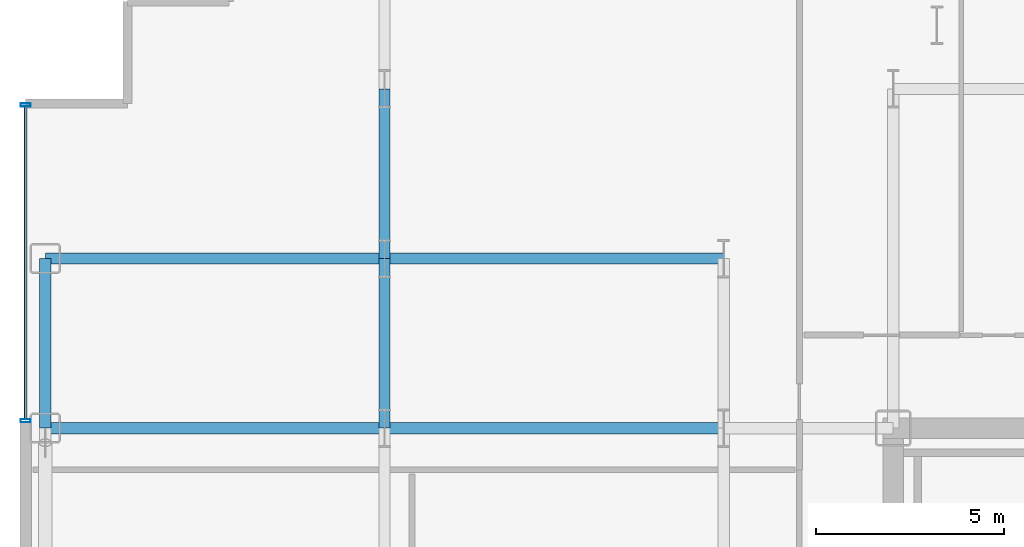
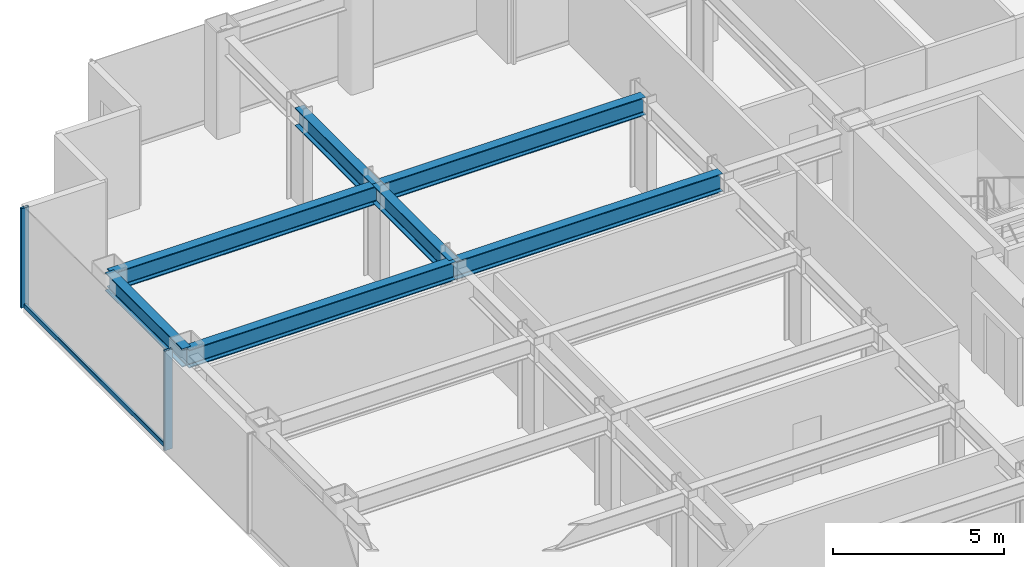
# One storey, part 11 of 29: 7 beams, 3 members, 1 element without a shape of its own.
"""IFC4 building model written with IfcOpenShell, lengths in metres."""

from ifc_helpers import new_model, si_unit, direction, frame, origin, origin_2d, place, context, subcontext, project, spatial, hollow_rectangle, i_section, extrude, source, transform, mapped, material, layer, layer_set, material_profile, profile_set, type_object, element, aggregate, save


model = new_model("IFC4")

# Units and contexts
model_context = context("Model", 3, precision=1e-05, world=origin(), true_north=direction((0.0, 1.0)))
body_context = subcontext(model_context, "Body", "Model", "MODEL_VIEW")
ifc_project = project(units=[si_unit("LENGTHUNIT", "METRE"), si_unit("AREAUNIT", "SQUARE_METRE"), si_unit("VOLUMEUNIT", "CUBIC_METRE"), si_unit("PLANEANGLEUNIT", "RADIAN"), si_unit("MASSUNIT", "GRAM", prefix="KILO")], contexts=[model_context])

# Site, building, storey
site_placement = place(None, origin())
site = spatial("IfcSite", under=ifc_project, at=site_placement, CompositionType="ELEMENT")
building_placement = place(site_placement, origin())
building = spatial("IfcBuilding", under=site, at=building_placement, Name="Nefas-Gora Pilgrimage Tower", CompositionType="ELEMENT")
storey_placement = place(building_placement, frame((0.0, 0.0, 136.39990234375)))
storey = spatial("IfcBuildingStorey", under=building, at=storey_placement, Name="L33", CompositionType="ELEMENT", Elevation=136.39990234375)

# Beams
ifc_material_1 = material(Name="Steel S355", Category="steel")
ifc_material_profile_1 = material_profile(ifc_material_1, i_section(OverallWidth=0.300048828125, OverallDepth=0.64990234375, WebThickness=0.01611328125, FlangeThickness=0.031005859375, FilletRadius=0.027099609375, at=origin_2d()), Name="HEB 650")
ifc_profile_set_1 = profile_set([ifc_material_profile_1], Name="Steel S355")
beam_type_1 = type_object("IfcBeamType", Name="BM-SPN-HEB500", PredefinedType="SPANDREL", material=ifc_profile_set_1)
shared_shape_1 = source(origin(), body_context, "Body", "SweptSolid", [
    extrude(i_section(OverallWidth=0.300048828125, OverallDepth=0.64990234375, WebThickness=0.01611328125, FlangeThickness=0.031005859375, FilletRadius=0.027099609375, at=origin_2d()), origin(), (0.0, 0.0, 1.0), 4.5),
])
beam_placement = place(storey_placement, frame((-33.75, 9.0, 3.22509765625), z_axis=(0.0, 1.0, 0.0), x_axis=(-1.0, 0.0, 0.0)))
element("IfcBeam", 1, at=beam_placement, inside=storey, type_object=beam_type_1, Name="L33 SP-02 beam", PredefinedType="SPANDREL", context=body_context, shape_type="MappedRepresentation", body=[
    mapped(shared_shape_1, transform((0.0, 0.0, 0.0), x_axis=(1.0, 0.0, 0.0), y_axis=(0.0, 1.0, 0.0), z_axis=(0.0, 0.0, 1.0), scale=1.0)),
])
ifc_material_profile_2 = material_profile(ifc_material_1, i_section(OverallWidth=0.300048828125, OverallDepth=0.64990234375, WebThickness=0.01611328125, FlangeThickness=0.031005859375, FilletRadius=0.027099609375, at=origin_2d()), Name="HEB 650")
ifc_profile_set_2 = profile_set([ifc_material_profile_2], Name="Steel S355")
beam_type_2 = type_object("IfcBeamType", Name="BM-GIR-HEB650", PredefinedType="BEAM", material=ifc_profile_set_2)
shared_shape_2 = source(origin(), body_context, "Body", "SweptSolid", [
    extrude(i_section(OverallWidth=0.300048828125, OverallDepth=0.64990234375, WebThickness=0.01611328125, FlangeThickness=0.031005859375, FilletRadius=0.027099609375, at=origin_2d()), origin(), (0.0, 0.0, 1.0), 9.0),
])
for number, where, z_axis, x_axis, name in (
    (2, (-33.75, 9.0, 3.22509765625), (1.0, 0.0, 0.0), (0.0, 1.0, 0.0), "L33 G-03 beam"),
    (3, (-33.75, 13.5, 3.22509765625), (1.0, 0.0, 0.0), (0.0, 1.0, 0.0), "L33 G-03 beam"),
    (4, (-24.75, 9.0, 3.22509765625), (1.0, 0.0, 0.0), (0.0, 1.0, 0.0), "L33 G-03 beam"),
    (5, (-24.75, 13.5, 3.22509765625), (1.0, 0.0, 0.0), (0.0, 1.0, 0.0), "L33 G-03 beam"),
):
    element("IfcBeam", number, at=place(storey_placement, frame(where, z_axis=z_axis, x_axis=x_axis)), inside=storey, type_object=beam_type_2, Name=name, PredefinedType="BEAM", context=body_context, shape_type="MappedRepresentation", body=[
        mapped(shared_shape_2, transform((0.0, 0.0, 0.0), x_axis=(1.0, 0.0, 0.0), y_axis=(0.0, 1.0, 0.0), z_axis=(0.0, 0.0, 1.0), scale=1.0)),
    ])
shared_shape_3 = source(origin(), body_context, "Body", "SweptSolid", [
    extrude(i_section(OverallWidth=0.300048828125, OverallDepth=0.64990234375, WebThickness=0.01611328125, FlangeThickness=0.031005859375, FilletRadius=0.027099609375, at=origin_2d()), origin(), (0.0, 0.0, 1.0), 4.5),
])
for number, where, z_axis, x_axis, name in (
    (6, (-24.75, 9.0, 3.22509765625), (0.0, 1.0, 0.0), (-1.0, 0.0, 0.0), "L33 G-03 beam"),
    (7, (-24.75, 13.5, 3.22509765625), (0.0, 1.0, 0.0), (-1.0, 0.0, 0.0), "L33 G-03 beam"),
):
    element("IfcBeam", number, at=place(storey_placement, frame(where, z_axis=z_axis, x_axis=x_axis)), inside=storey, type_object=beam_type_2, Name=name, PredefinedType="BEAM", context=body_context, shape_type="MappedRepresentation", body=[
        mapped(shared_shape_3, transform((0.0, 0.0, 0.0), x_axis=(1.0, 0.0, 0.0), y_axis=(0.0, 1.0, 0.0), z_axis=(0.0, 0.0, 1.0), scale=1.0)),
    ])

# Curtain wall, members
ifc_material_2 = material(Name="Dark ceramic-fritted solar-control aluminium-glass curtain wall", Category="aluminium")
ifc_layer = layer(ifc_material_2, 0.219970703125)
ifc_layer_set = layer_set([ifc_layer], Name="Dark ceramic-fritted solar-control aluminium-glass curtain wall")
curtain_wall_type = type_object("IfcCurtainWallType", Name="CW-SYS-2", PredefinedType="NOTDEFINED", material=ifc_layer_set)
curtain_wall_placement = place(storey_placement, origin())
curtain_wall = element("IfcCurtainWall", 8, at=curtain_wall_placement, inside=storey, type_object=curtain_wall_type, Name="L33 Unitised Curtain Wall CW2", PredefinedType="NOTDEFINED")
ifc_material_3 = material(Name="Anodised architectural aluminium", Category="aluminium")
ifc_material_profile_3 = material_profile(ifc_material_3, hollow_rectangle(XDim=0.090087890625, YDim=0.260009765625, WallThickness=0.006103515625, InnerFilletRadius=0.006103515625, OuterFilletRadius=0.011962890625, at=origin_2d()), Name="ALU MULLION 90x260")
ifc_profile_set_3 = profile_set([ifc_material_profile_3], Name="Anodised architectural aluminium")
member_type_1 = type_object("IfcMemberType", Name="CWM-MUL-2", PredefinedType="MULLION", material=ifc_profile_set_3)
shared_shape_4 = source(origin(), body_context, "Body", "SweptSolid", [
    extrude(hollow_rectangle(XDim=0.090087890625, YDim=0.260009765625, WallThickness=0.006103515625, InnerFilletRadius=0.006103515625, OuterFilletRadius=0.011962890625, at=origin_2d()), origin(), (0.0, 0.0, 1.0), 3.550048828125),
])
member_1_placement = place(storey_placement, frame((-34.27001953125, 17.574951171875, 0.0), z_axis=(0.0, 0.0, 1.0), x_axis=(0.0, -1.0, 0.0)))
member_1 = element("IfcMember", 9, at=member_1_placement, type_object=member_type_1, Name="CW2 Mullion 1", PredefinedType="MULLION", context=body_context, shape_type="MappedRepresentation", body=[
    mapped(shared_shape_4, transform((0.0, 0.0, 0.0), x_axis=(1.0, 0.0, 0.0), y_axis=(0.0, 1.0, 0.0), z_axis=(0.0, 0.0, 1.0), scale=1.0)),
])
member_2_placement = place(storey_placement, frame((-34.27001953125, 9.195068359375, 0.0), z_axis=(0.0, 0.0, 1.0), x_axis=(0.0, -1.0, 0.0)))
member_2 = element("IfcMember", 10, at=member_2_placement, type_object=member_type_1, Name="CW2 Mullion 2", PredefinedType="MULLION", context=body_context, shape_type="MappedRepresentation", body=[
    mapped(shared_shape_4, transform((0.0, 0.0, 0.0), x_axis=(1.0, 0.0, 0.0), y_axis=(0.0, 1.0, 0.0), z_axis=(0.0, 0.0, 1.0), scale=1.0)),
])
ifc_material_profile_4 = material_profile(ifc_material_3, hollow_rectangle(XDim=0.080078125, YDim=0.159912109375, WallThickness=0.00439453125, InnerFilletRadius=0.00439453125, OuterFilletRadius=0.009033203125, at=origin_2d()), Name="ALU TRANSOM 80x160")
ifc_profile_set_4 = profile_set([ifc_material_profile_4], Name="Anodised architectural aluminium")
member_type_2 = type_object("IfcMemberType", Name="CWM-TRN-2", PredefinedType="USERDEFINED", material=ifc_profile_set_4)
shared_shape_5 = source(origin(), body_context, "Body", "SweptSolid", [
    extrude(hollow_rectangle(XDim=0.080078125, YDim=0.159912109375, WallThickness=0.00439453125, InnerFilletRadius=0.00439453125, OuterFilletRadius=0.009033203125, at=origin_2d()), origin(), (0.0, 0.0, 1.0), 8.2900390625),
])
member_3_placement = place(storey_placement, frame((-34.27001953125, 17.530029296875, 0.050048828125), z_axis=(0.0, -1.0, 0.0), x_axis=(1.0, 0.0, 0.0)))
member_3 = element("IfcMember", 11, at=member_3_placement, type_object=member_type_2, Name="CW2 Spandrel Transom", ObjectType="TRANSOM", PredefinedType="USERDEFINED", context=body_context, shape_type="MappedRepresentation", body=[
    mapped(shared_shape_5, transform((0.0, 0.0, 0.0), x_axis=(1.0, 0.0, 0.0), y_axis=(0.0, 1.0, 0.0), z_axis=(0.0, 0.0, 1.0), scale=1.0)),
])
aggregate(curtain_wall, [member_1, member_2, member_3])

save(model, "model.ifc")
